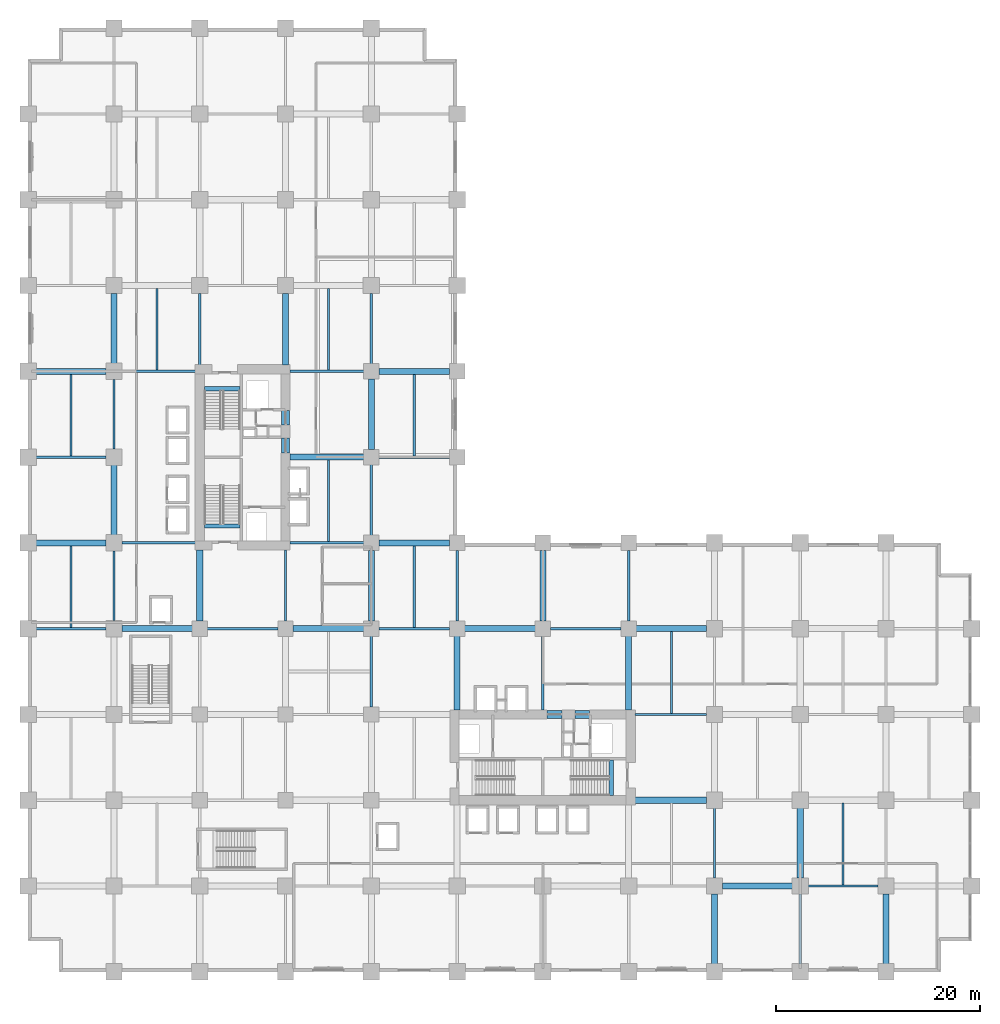
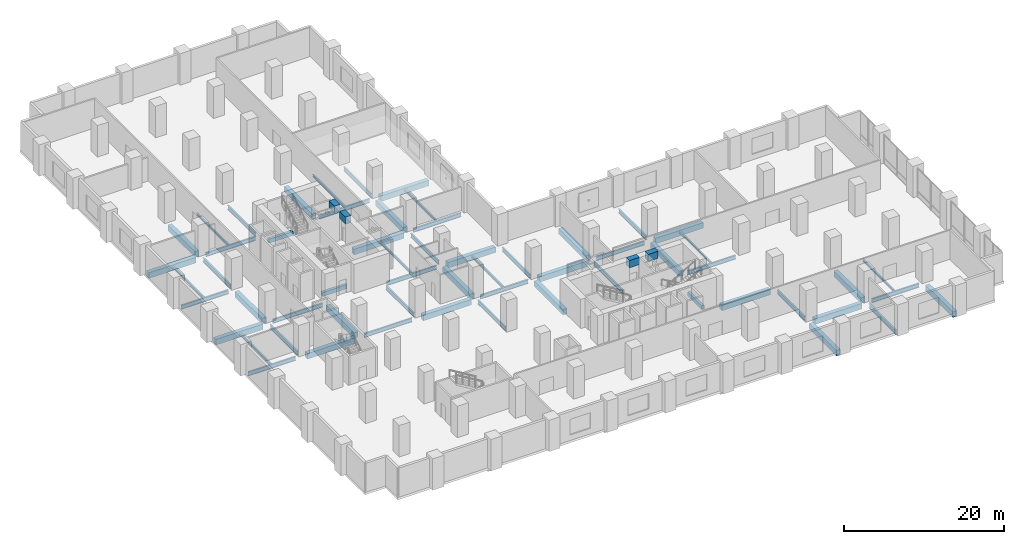
# One storey, part 2 of 22: 63 beams.
"""IFC4 building model written with IfcOpenShell, lengths in metres."""

from ifc_helpers import new_model, si_unit, direction, frame, origin, origin_2d, place, context, subcontext, project, spatial, rectangle, i_section, extrude, material, material_profile, profile_set, type_object, element, save


model = new_model("IFC4")

# Units and contexts
model_context = context("Model", 3, precision=1e-05, world=origin(), true_north=direction((0.0, 1.0)))
body_context = subcontext(model_context, "Body", "Model", "MODEL_VIEW")
ifc_project = project(units=[si_unit("LENGTHUNIT", "METRE"), si_unit("AREAUNIT", "SQUARE_METRE"), si_unit("VOLUMEUNIT", "CUBIC_METRE"), si_unit("PLANEANGLEUNIT", "RADIAN"), si_unit("MASSUNIT", "GRAM", prefix="KILO")], contexts=[model_context])

# Site, building, storey
site_placement = place(None, origin())
site = spatial("IfcSite", under=ifc_project, at=site_placement, CompositionType="ELEMENT")
building_placement = place(site_placement, origin())
building = spatial("IfcBuilding", under=site, at=building_placement, Name="Koriwani Terraces Tower", CompositionType="ELEMENT")
storey_placement = place(building_placement, frame((0.0, 0.0, 10.800048828125)))
storey = spatial("IfcBuildingStorey", under=building, at=storey_placement, Name="L02", CompositionType="ELEMENT", Elevation=10.800048828125)

# Beams
ifc_material_1 = material(Name="Concrete C60/75", Category="concrete")
ifc_material_profile_1 = material_profile(ifc_material_1, rectangle(XDim=0.800048828125, YDim=1.10009765625, at=origin_2d()), Name="Concrete C60/75", Category="LoadBearing")
ifc_profile_set_1 = profile_set([ifc_material_profile_1], Name="Concrete C60/75")
beam_type_1 = type_object("IfcBeamType", Name="BEAM_RC_COUPLING_800X1100", PredefinedType="LINTEL", material=ifc_profile_set_1)
beam_1_placement = place(storey_placement, frame((25.199951171875, 50.800048828125, 3.89990234375), z_axis=(0.0, 1.0, 0.0), x_axis=(-1.0, 0.0, 0.0)))
element("IfcBeam", 1, at=beam_1_placement, inside=storey, type_object=beam_type_1, Name="L02 Core Coupling Lintel Beam WE1", PredefinedType="LINTEL", context=body_context, shape_type="SweptSolid", body=[
    extrude(rectangle(XDim=0.800048828125, YDim=1.10009765625, at=origin_2d()), origin(), (0.0, 0.0, 1.0), 1.47998046875),
])
beam_2_placement = place(storey_placement, frame((25.199951171875, 53.550048828125, 3.89990234375), z_axis=(0.0, 1.0, 0.0), x_axis=(-1.0, 0.0, 0.0)))
element("IfcBeam", 2, at=beam_2_placement, inside=storey, type_object=beam_type_1, Name="L02 Core Coupling Lintel Beam WE2", PredefinedType="LINTEL", context=body_context, shape_type="SweptSolid", body=[
    extrude(rectangle(XDim=0.800048828125, YDim=1.10009765625, at=origin_2d()), origin(), (0.0, 0.0, 1.0), 1.39990234375),
])
beam_3_placement = place(storey_placement, frame((50.800048828125, 25.199951171875, 3.89990234375), z_axis=(1.0, 0.0, 0.0), x_axis=(0.0, 1.0, 0.0)))
element("IfcBeam", 3, at=beam_3_placement, inside=storey, type_object=beam_type_1, Name="L02 Core Coupling Lintel Beam EN1", PredefinedType="LINTEL", context=body_context, shape_type="SweptSolid", body=[
    extrude(rectangle(XDim=0.800048828125, YDim=1.10009765625, at=origin_2d()), origin(), (0.0, 0.0, 1.0), 1.47998046875),
])
beam_4_placement = place(storey_placement, frame((53.550048828125, 25.199951171875, 3.89990234375), z_axis=(1.0, 0.0, 0.0), x_axis=(0.0, 1.0, 0.0)))
element("IfcBeam", 4, at=beam_4_placement, inside=storey, type_object=beam_type_1, Name="L02 Core Coupling Lintel Beam EN2", PredefinedType="LINTEL", context=body_context, shape_type="SweptSolid", body=[
    extrude(rectangle(XDim=0.800048828125, YDim=1.10009765625, at=origin_2d()), origin(), (0.0, 0.0, 1.0), 1.39990234375),
])
ifc_material_2 = material(Name="Concrete C40/50", Category="concrete")
ifc_material_profile_2 = material_profile(ifc_material_2, rectangle(XDim=0.39990234375, YDim=0.60009765625, at=origin_2d()), Name="Concrete C40/50", Category="LoadBearing")
ifc_profile_set_2 = profile_set([ifc_material_profile_2], Name="Concrete C40/50")
beam_type_2 = type_object("IfcBeamType", Name="BEAM_RC_GRID_400X600", PredefinedType="BEAM", material=ifc_profile_set_2)
for number, where, z_axis, x_axis, name in (
    (5, (17.25, 43.655029296875, -0.300048828125), (1.0, 0.0, 0.0), (0.0, 1.0, 0.0), "L02 Stairwell Header Trimmer Beam ST-W1"),
    (6, (17.25, 57.094970703125, -0.300048828125), (1.0, 0.0, 0.0), (0.0, 1.0, 0.0), "L02 Stairwell Header Trimmer Beam ST-W2"),
    (7, (57.094970703125, 17.25, -0.300048828125), (0.0, 1.0, 0.0), (-1.0, 0.0, 0.0), "L02 Stairwell Header Trimmer Beam ST-E2"),
):
    element("IfcBeam", number, at=place(storey_placement, frame(where, z_axis=z_axis, x_axis=x_axis)), inside=storey, type_object=beam_type_2, Name=name, PredefinedType="BEAM", context=body_context, shape_type="SweptSolid", body=[
        extrude(rectangle(XDim=0.39990234375, YDim=0.60009765625, at=origin_2d()), origin(), (0.0, 0.0, 1.0), 3.5),
    ])
ifc_material_profile_3 = material_profile(ifc_material_1, rectangle(XDim=0.60009765625, YDim=0.85009765625, at=origin_2d()), Name="Concrete C60/75", Category="LoadBearing")
ifc_profile_set_3 = profile_set([ifc_material_profile_3], Name="Concrete C60/75")
beam_type_3 = type_object("IfcBeamType", Name="BEAM_RC_GRID_600X850", PredefinedType="BEAM", material=ifc_profile_set_3)
beam_5_placement = place(storey_placement, frame((67.97998046875, 8.39990234375, -0.775146484375), z_axis=(1.0, 0.0, 0.0), x_axis=(0.0, 1.0, 0.0)))
element("IfcBeam", 8, at=beam_5_placement, inside=storey, type_object=beam_type_3, Name="L02 Grid Beam B (67.2-75.6m)", PredefinedType="BEAM", context=body_context, shape_type="SweptSolid", body=[
    extrude(rectangle(XDim=0.60009765625, YDim=0.85009765625, at=origin_2d()), origin(), (0.0, 0.0, 1.0), 6.840087890625),
])
beam_6_placement = place(storey_placement, frame((59.429931640625, 16.800048828125, -0.775146484375), z_axis=(1.0, 0.0, 0.0), x_axis=(0.0, 1.0, 0.0)))
element("IfcBeam", 9, at=beam_6_placement, inside=storey, type_object=beam_type_3, Name="L02 Grid Beam C (58.8-67.2m)", PredefinedType="BEAM", context=body_context, shape_type="SweptSolid", body=[
    extrude(rectangle(XDim=0.60009765625, YDim=0.85009765625, at=origin_2d()), origin(), (0.0, 0.0, 1.0), 6.989990234375),
])
beam_7_placement = place(storey_placement, frame((9.179931640625, 33.60009765625, -0.775146484375), z_axis=(1.0, 0.0, 0.0), x_axis=(0.0, 1.0, 0.0)))
element("IfcBeam", 10, at=beam_7_placement, inside=storey, type_object=beam_type_3, Name="L02 Grid Beam E (8.4-16.8m)", PredefinedType="BEAM", context=body_context, shape_type="SweptSolid", body=[
    extrude(rectangle(XDim=0.60009765625, YDim=0.85009765625, at=origin_2d()), origin(), (0.0, 0.0, 1.0), 6.89013671875),
])
beam_8_placement = place(storey_placement, frame((25.929931640625, 33.60009765625, -0.775146484375), z_axis=(1.0, 0.0, 0.0), x_axis=(0.0, 1.0, 0.0)))
element("IfcBeam", 11, at=beam_8_placement, inside=storey, type_object=beam_type_3, Name="L02 Grid Beam E (25.2-33.6m)", PredefinedType="BEAM", context=body_context, shape_type="SweptSolid", body=[
    extrude(rectangle(XDim=0.60009765625, YDim=0.85009765625, at=origin_2d()), origin(), (0.0, 0.0, 1.0), 6.940185546875),
])
beam_9_placement = place(storey_placement, frame((42.72998046875, 33.60009765625, -0.775146484375), z_axis=(1.0, 0.0, 0.0), x_axis=(0.0, 1.0, 0.0)))
element("IfcBeam", 12, at=beam_9_placement, inside=storey, type_object=beam_type_3, Name="L02 Grid Beam E (42.0-50.4m)", PredefinedType="BEAM", context=body_context, shape_type="SweptSolid", body=[
    extrude(rectangle(XDim=0.60009765625, YDim=0.85009765625, at=origin_2d()), origin(), (0.0, 0.0, 1.0), 6.93994140625),
])
beam_10_placement = place(storey_placement, frame((59.530029296875, 33.60009765625, -0.775146484375), z_axis=(1.0, 0.0, 0.0), x_axis=(0.0, 1.0, 0.0)))
element("IfcBeam", 13, at=beam_10_placement, inside=storey, type_object=beam_type_3, Name="L02 Grid Beam E (58.8-67.2m)", PredefinedType="BEAM", context=body_context, shape_type="SweptSolid", body=[
    extrude(rectangle(XDim=0.60009765625, YDim=0.85009765625, at=origin_2d()), origin(), (0.0, 0.0, 1.0), 6.889892578125),
])
beam_11_placement = place(storey_placement, frame((0.780029296875, 42.0, -0.775146484375), z_axis=(1.0, 0.0, 0.0), x_axis=(0.0, 1.0, 0.0)))
element("IfcBeam", 14, at=beam_11_placement, inside=storey, type_object=beam_type_3, Name="L02 Grid Beam F (0.0-8.4m)", PredefinedType="BEAM", context=body_context, shape_type="SweptSolid", body=[
    extrude(rectangle(XDim=0.60009765625, YDim=0.85009765625, at=origin_2d()), origin(), (0.0, 0.0, 1.0), 6.840087890625),
])
beam_12_placement = place(storey_placement, frame((34.330078125, 42.0, -0.775146484375), z_axis=(1.0, 0.0, 0.0), x_axis=(0.0, 1.0, 0.0)))
element("IfcBeam", 15, at=beam_12_placement, inside=storey, type_object=beam_type_3, Name="L02 Grid Beam F (33.6-42.0m)", PredefinedType="BEAM", context=body_context, shape_type="SweptSolid", body=[
    extrude(rectangle(XDim=0.60009765625, YDim=0.85009765625, at=origin_2d()), origin(), (0.0, 0.0, 1.0), 6.93994140625),
])
beam_13_placement = place(storey_placement, frame((25.6298828125, 50.39990234375, -0.775146484375), z_axis=(1.0, 0.0, 0.0), x_axis=(0.0, 1.0, 0.0)))
element("IfcBeam", 16, at=beam_13_placement, inside=storey, type_object=beam_type_3, Name="L02 Grid Beam G (25.2-33.6m)", PredefinedType="BEAM", context=body_context, shape_type="SweptSolid", body=[
    extrude(rectangle(XDim=0.60009765625, YDim=0.85009765625, at=origin_2d()), origin(), (0.0, 0.0, 1.0), 7.240234375),
])
beam_14_placement = place(storey_placement, frame((0.780029296875, 58.800048828125, -0.775146484375), z_axis=(1.0, 0.0, 0.0), x_axis=(0.0, 1.0, 0.0)))
element("IfcBeam", 17, at=beam_14_placement, inside=storey, type_object=beam_type_3, Name="L02 Grid Beam H (0.0-8.4m)", PredefinedType="BEAM", context=body_context, shape_type="SweptSolid", body=[
    extrude(rectangle(XDim=0.60009765625, YDim=0.85009765625, at=origin_2d()), origin(), (0.0, 0.0, 1.0), 6.840087890625),
])
beam_15_placement = place(storey_placement, frame((34.330078125, 58.800048828125, -0.775146484375), z_axis=(1.0, 0.0, 0.0), x_axis=(0.0, 1.0, 0.0)))
element("IfcBeam", 18, at=beam_15_placement, inside=storey, type_object=beam_type_3, Name="L02 Grid Beam H (33.6-42.0m)", PredefinedType="BEAM", context=body_context, shape_type="SweptSolid", body=[
    extrude(rectangle(XDim=0.60009765625, YDim=0.85009765625, at=origin_2d()), origin(), (0.0, 0.0, 1.0), 6.93994140625),
])
beam_16_placement = place(storey_placement, frame((8.39990234375, 42.780029296875, -0.775146484375), z_axis=(0.0, 1.0, 0.0), x_axis=(-1.0, 0.0, 0.0)))
element("IfcBeam", 19, at=beam_16_placement, inside=storey, type_object=beam_type_3, Name="L02 Grid Beam 2 (42.0-50.4m)", PredefinedType="BEAM", context=body_context, shape_type="SweptSolid", body=[
    extrude(rectangle(XDim=0.60009765625, YDim=0.85009765625, at=origin_2d()), origin(), (0.0, 0.0, 1.0), 6.840087890625),
])
beam_17_placement = place(storey_placement, frame((8.39990234375, 59.580078125, -0.775146484375), z_axis=(0.0, 1.0, 0.0), x_axis=(-1.0, 0.0, 0.0)))
element("IfcBeam", 20, at=beam_17_placement, inside=storey, type_object=beam_type_3, Name="L02 Grid Beam 2 (58.8-67.2m)", PredefinedType="BEAM", context=body_context, shape_type="SweptSolid", body=[
    extrude(rectangle(XDim=0.60009765625, YDim=0.85009765625, at=origin_2d()), origin(), (0.0, 0.0, 1.0), 6.83984375),
])
for number, where, z_axis, x_axis, name in (
    (21, (16.800048828125, 34.330078125, -0.775146484375), (0.0, 1.0, 0.0), (-1.0, 0.0, 0.0), "L02 Grid Beam 3 (33.6-42.0m)"),
    (22, (25.199951171875, 59.429931640625, -0.775146484375), (0.0, 1.0, 0.0), (-1.0, 0.0, 0.0), "L02 Grid Beam 4 (58.8-67.2m)"),
):
    element("IfcBeam", number, at=place(storey_placement, frame(where, z_axis=z_axis, x_axis=x_axis)), inside=storey, type_object=beam_type_3, Name=name, PredefinedType="BEAM", context=body_context, shape_type="SweptSolid", body=[
        extrude(rectangle(XDim=0.60009765625, YDim=0.85009765625, at=origin_2d()), origin(), (0.0, 0.0, 1.0), 6.989990234375),
    ])
beam_18_placement = place(storey_placement, frame((33.60009765625, 34.330078125, -0.775146484375), z_axis=(0.0, 1.0, 0.0), x_axis=(-1.0, 0.0, 0.0)))
element("IfcBeam", 23, at=beam_18_placement, inside=storey, type_object=beam_type_3, Name="L02 Grid Beam 5 (33.6-42.0m)", PredefinedType="BEAM", context=body_context, shape_type="SweptSolid", body=[
    extrude(rectangle(XDim=0.60009765625, YDim=0.85009765625, at=origin_2d()), origin(), (0.0, 0.0, 1.0), 6.93994140625),
])
beam_19_placement = place(storey_placement, frame((33.60009765625, 51.1298828125, -0.775146484375), z_axis=(0.0, 1.0, 0.0), x_axis=(-1.0, 0.0, 0.0)))
element("IfcBeam", 24, at=beam_19_placement, inside=storey, type_object=beam_type_3, Name="L02 Grid Beam 5 (50.4-58.8m)", PredefinedType="BEAM", context=body_context, shape_type="SweptSolid", body=[
    extrude(rectangle(XDim=0.60009765625, YDim=0.85009765625, at=origin_2d()), origin(), (0.0, 0.0, 1.0), 6.940185546875),
])
beam_20_placement = place(storey_placement, frame((42.0, 25.6298828125, -0.775146484375), z_axis=(0.0, 1.0, 0.0), x_axis=(-1.0, 0.0, 0.0)))
element("IfcBeam", 25, at=beam_20_placement, inside=storey, type_object=beam_type_3, Name="L02 Grid Beam 6 (25.2-33.6m)", PredefinedType="BEAM", context=body_context, shape_type="SweptSolid", body=[
    extrude(rectangle(XDim=0.60009765625, YDim=0.85009765625, at=origin_2d()), origin(), (0.0, 0.0, 1.0), 7.240234375),
])
beam_21_placement = place(storey_placement, frame((50.39990234375, 34.330078125, -0.775146484375), z_axis=(0.0, 1.0, 0.0), x_axis=(-1.0, 0.0, 0.0)))
element("IfcBeam", 26, at=beam_21_placement, inside=storey, type_object=beam_type_3, Name="L02 Grid Beam 7 (33.6-42.0m)", PredefinedType="BEAM", context=body_context, shape_type="SweptSolid", body=[
    extrude(rectangle(XDim=0.60009765625, YDim=0.85009765625, at=origin_2d()), origin(), (0.0, 0.0, 1.0), 6.93994140625),
])
beam_22_placement = place(storey_placement, frame((58.800048828125, 25.6298828125, -0.775146484375), z_axis=(0.0, 1.0, 0.0), x_axis=(-1.0, 0.0, 0.0)))
element("IfcBeam", 27, at=beam_22_placement, inside=storey, type_object=beam_type_3, Name="L02 Grid Beam 8 (25.2-33.6m)", PredefinedType="BEAM", context=body_context, shape_type="SweptSolid", body=[
    extrude(rectangle(XDim=0.60009765625, YDim=0.85009765625, at=origin_2d()), origin(), (0.0, 0.0, 1.0), 7.240234375),
])
for number, where, z_axis, x_axis, name in (
    (28, (67.199951171875, 0.780029296875, -0.775146484375), (0.0, 1.0, 0.0), (-1.0, 0.0, 0.0), "L02 Grid Beam 9 (0.0-8.4m)"),
    (29, (75.60009765625, 9.179931640625, -0.775146484375), (0.0, 1.0, 0.0), (-1.0, 0.0, 0.0), "L02 Grid Beam 10 (8.4-16.8m)"),
    (30, (84.0, 0.780029296875, -0.775146484375), (0.0, 1.0, 0.0), (-1.0, 0.0, 0.0), "L02 Grid Beam 11 (0.0-8.4m)"),
):
    element("IfcBeam", number, at=place(storey_placement, frame(where, z_axis=z_axis, x_axis=x_axis)), inside=storey, type_object=beam_type_3, Name=name, PredefinedType="BEAM", context=body_context, shape_type="SweptSolid", body=[
        extrude(rectangle(XDim=0.60009765625, YDim=0.85009765625, at=origin_2d()), origin(), (0.0, 0.0, 1.0), 6.840087890625),
    ])
ifc_material_3 = material(Name="Steel ASTM A572 Grade 50", Category="steel")
ifc_material_profile_4 = material_profile(ifc_material_3, i_section(OverallWidth=0.205078125, OverallDepth=0.35400390625, WebThickness=0.009521484375, FlangeThickness=0.016845703125, at=origin_2d()), Name="Steel ASTM A572 Grade 50", Category="LoadBearing")
ifc_profile_set_4 = profile_set([ifc_material_profile_4], Name="Steel ASTM A572 Grade 50")
beam_type_4 = type_object("IfcBeamType", Name="STEEL_BEAM_W360X79", PredefinedType="JOIST", material=ifc_profile_set_4)
for number, where, z_axis, x_axis, name in (
    (31, (4.199951171875, 33.70556640625, -0.527099609375), (0.0, 1.0, 0.0), (-1.0, 0.0, 0.0), "L02 Secondary Steel Floor Joist X=4.2m"),
    (32, (4.199951171875, 50.505615234375, -0.527099609375), (0.0, 1.0, 0.0), (-1.0, 0.0, 0.0), "L02 Secondary Steel Floor Joist X=4.2m"),
    (33, (12.60009765625, 58.905517578125, -0.527099609375), (0.0, 1.0, 0.0), (-1.0, 0.0, 0.0), "L02 Secondary Steel Floor Joist X=12.6m"),
):
    element("IfcBeam", number, at=place(storey_placement, frame(where, z_axis=z_axis, x_axis=x_axis)), inside=storey, type_object=beam_type_4, Name=name, PredefinedType="JOIST", context=body_context, shape_type="SweptSolid", body=[
        extrude(i_section(OverallWidth=0.205078125, OverallDepth=0.35400390625, WebThickness=0.009521484375, FlangeThickness=0.016845703125, at=origin_2d()), origin(), (0.0, 0.0, 1.0), 8.00439453125),
    ])
beam_23_placement = place(storey_placement, frame((29.39990234375, 42.10546875, -0.527099609375), z_axis=(0.0, 1.0, 0.0), x_axis=(-1.0, 0.0, 0.0)))
element("IfcBeam", 34, at=beam_23_placement, inside=storey, type_object=beam_type_4, Name="L02 Secondary Steel Floor Joist X=29.4m", PredefinedType="JOIST", context=body_context, shape_type="SweptSolid", body=[
    extrude(i_section(OverallWidth=0.205078125, OverallDepth=0.35400390625, WebThickness=0.009521484375, FlangeThickness=0.016845703125, at=origin_2d()), origin(), (0.0, 0.0, 1.0), 8.004638671875),
])
for number, where, z_axis, x_axis, name in (
    (35, (29.39990234375, 58.905517578125, -0.527099609375), (0.0, 1.0, 0.0), (-1.0, 0.0, 0.0), "L02 Secondary Steel Floor Joist X=29.4m"),
    (36, (37.800048828125, 33.70556640625, -0.527099609375), (0.0, 1.0, 0.0), (-1.0, 0.0, 0.0), "L02 Secondary Steel Floor Joist X=37.8m"),
    (37, (37.800048828125, 50.505615234375, -0.527099609375), (0.0, 1.0, 0.0), (-1.0, 0.0, 0.0), "L02 Secondary Steel Floor Joist X=37.8m"),
):
    element("IfcBeam", number, at=place(storey_placement, frame(where, z_axis=z_axis, x_axis=x_axis)), inside=storey, type_object=beam_type_4, Name=name, PredefinedType="JOIST", context=body_context, shape_type="SweptSolid", body=[
        extrude(i_section(OverallWidth=0.205078125, OverallDepth=0.35400390625, WebThickness=0.009521484375, FlangeThickness=0.016845703125, at=origin_2d()), origin(), (0.0, 0.0, 1.0), 8.00439453125),
    ])
beam_24_placement = place(storey_placement, frame((63.0, 25.305419921875, -0.527099609375), z_axis=(0.0, 1.0, 0.0), x_axis=(-1.0, 0.0, 0.0)))
element("IfcBeam", 38, at=beam_24_placement, inside=storey, type_object=beam_type_4, Name="L02 Secondary Steel Floor Joist X=63.0m", PredefinedType="JOIST", context=body_context, shape_type="SweptSolid", body=[
    extrude(i_section(OverallWidth=0.205078125, OverallDepth=0.35400390625, WebThickness=0.009521484375, FlangeThickness=0.016845703125, at=origin_2d()), origin(), (0.0, 0.0, 1.0), 8.004638671875),
])
beam_25_placement = place(storey_placement, frame((79.800048828125, 8.505615234375, -0.527099609375), z_axis=(0.0, 1.0, 0.0), x_axis=(-1.0, 0.0, 0.0)))
element("IfcBeam", 39, at=beam_25_placement, inside=storey, type_object=beam_type_4, Name="L02 Secondary Steel Floor Joist X=79.8m", PredefinedType="JOIST", context=body_context, shape_type="SweptSolid", body=[
    extrude(i_section(OverallWidth=0.205078125, OverallDepth=0.35400390625, WebThickness=0.009521484375, FlangeThickness=0.016845703125, at=origin_2d()), origin(), (0.0, 0.0, 1.0), 8.00439453125),
])
ifc_material_profile_5 = material_profile(ifc_material_3, i_section(OverallWidth=0.23095703125, OverallDepth=0.616943359375, WebThickness=0.015380859375, FlangeThickness=0.0244140625, at=origin_2d()), Name="Steel ASTM A572 Grade 50", Category="LoadBearing")
ifc_profile_set_5 = profile_set([ifc_material_profile_5], Name="Steel ASTM A572 Grade 50")
beam_type_5 = type_object("IfcBeamType", Name="STEEL_BEAM_W610X195", PredefinedType="BEAM", material=ifc_profile_set_5)
beam_26_placement = place(storey_placement, frame((76.3798828125, 8.39990234375, -0.658447265625), z_axis=(1.0, 0.0, 0.0), x_axis=(0.0, 1.0, 0.0)))
element("IfcBeam", 40, at=beam_26_placement, inside=storey, type_object=beam_type_5, Name="L02 Grid Beam B (75.6-84.0m)", PredefinedType="BEAM", context=body_context, shape_type="SweptSolid", body=[
    extrude(i_section(OverallWidth=0.23095703125, OverallDepth=0.616943359375, WebThickness=0.015380859375, FlangeThickness=0.0244140625, at=origin_2d()), origin(), (0.0, 0.0, 1.0), 6.840087890625),
])
beam_27_placement = place(storey_placement, frame((59.429931640625, 25.199951171875, -0.658447265625), z_axis=(1.0, 0.0, 0.0), x_axis=(0.0, 1.0, 0.0)))
element("IfcBeam", 41, at=beam_27_placement, inside=storey, type_object=beam_type_5, Name="L02 Grid Beam D (58.8-67.2m)", PredefinedType="BEAM", context=body_context, shape_type="SweptSolid", body=[
    extrude(i_section(OverallWidth=0.23095703125, OverallDepth=0.616943359375, WebThickness=0.015380859375, FlangeThickness=0.0244140625, at=origin_2d()), origin(), (0.0, 0.0, 1.0), 6.989990234375),
])
beam_28_placement = place(storey_placement, frame((0.780029296875, 33.60009765625, -0.658447265625), z_axis=(1.0, 0.0, 0.0), x_axis=(0.0, 1.0, 0.0)))
element("IfcBeam", 42, at=beam_28_placement, inside=storey, type_object=beam_type_5, Name="L02 Grid Beam E (0.0-8.4m)", PredefinedType="BEAM", context=body_context, shape_type="SweptSolid", body=[
    extrude(i_section(OverallWidth=0.23095703125, OverallDepth=0.616943359375, WebThickness=0.015380859375, FlangeThickness=0.0244140625, at=origin_2d()), origin(), (0.0, 0.0, 1.0), 6.840087890625),
])
for number, where, z_axis, x_axis, name in (
    (43, (17.530029296875, 33.60009765625, -0.658447265625), (1.0, 0.0, 0.0), (0.0, 1.0, 0.0), "L02 Grid Beam E (16.8-25.2m)"),
    (44, (34.330078125, 33.60009765625, -0.658447265625), (1.0, 0.0, 0.0), (0.0, 1.0, 0.0), "L02 Grid Beam E (33.6-42.0m)"),
):
    element("IfcBeam", number, at=place(storey_placement, frame(where, z_axis=z_axis, x_axis=x_axis)), inside=storey, type_object=beam_type_5, Name=name, PredefinedType="BEAM", context=body_context, shape_type="SweptSolid", body=[
        extrude(i_section(OverallWidth=0.23095703125, OverallDepth=0.616943359375, WebThickness=0.015380859375, FlangeThickness=0.0244140625, at=origin_2d()), origin(), (0.0, 0.0, 1.0), 6.93994140625),
    ])
beam_29_placement = place(storey_placement, frame((51.1298828125, 33.60009765625, -0.658447265625), z_axis=(1.0, 0.0, 0.0), x_axis=(0.0, 1.0, 0.0)))
element("IfcBeam", 45, at=beam_29_placement, inside=storey, type_object=beam_type_5, Name="L02 Grid Beam E (50.4-58.8m)", PredefinedType="BEAM", context=body_context, shape_type="SweptSolid", body=[
    extrude(i_section(OverallWidth=0.23095703125, OverallDepth=0.616943359375, WebThickness=0.015380859375, FlangeThickness=0.0244140625, at=origin_2d()), origin(), (0.0, 0.0, 1.0), 6.940185546875),
])
beam_30_placement = place(storey_placement, frame((9.179931640625, 42.0, -0.658447265625), z_axis=(1.0, 0.0, 0.0), x_axis=(0.0, 1.0, 0.0)))
element("IfcBeam", 46, at=beam_30_placement, inside=storey, type_object=beam_type_5, Name="L02 Grid Beam F (8.4-16.8m)", PredefinedType="BEAM", context=body_context, shape_type="SweptSolid", body=[
    extrude(i_section(OverallWidth=0.23095703125, OverallDepth=0.616943359375, WebThickness=0.015380859375, FlangeThickness=0.0244140625, at=origin_2d()), origin(), (0.0, 0.0, 1.0), 7.190185546875),
])
beam_31_placement = place(storey_placement, frame((25.6298828125, 42.0, -0.658447265625), z_axis=(1.0, 0.0, 0.0), x_axis=(0.0, 1.0, 0.0)))
element("IfcBeam", 47, at=beam_31_placement, inside=storey, type_object=beam_type_5, Name="L02 Grid Beam F (25.2-33.6m)", PredefinedType="BEAM", context=body_context, shape_type="SweptSolid", body=[
    extrude(i_section(OverallWidth=0.23095703125, OverallDepth=0.616943359375, WebThickness=0.015380859375, FlangeThickness=0.0244140625, at=origin_2d()), origin(), (0.0, 0.0, 1.0), 7.240234375),
])
beam_32_placement = place(storey_placement, frame((0.780029296875, 50.39990234375, -0.658447265625), z_axis=(1.0, 0.0, 0.0), x_axis=(0.0, 1.0, 0.0)))
element("IfcBeam", 48, at=beam_32_placement, inside=storey, type_object=beam_type_5, Name="L02 Grid Beam G (0.0-8.4m)", PredefinedType="BEAM", context=body_context, shape_type="SweptSolid", body=[
    extrude(i_section(OverallWidth=0.23095703125, OverallDepth=0.616943359375, WebThickness=0.015380859375, FlangeThickness=0.0244140625, at=origin_2d()), origin(), (0.0, 0.0, 1.0), 6.840087890625),
])
beam_33_placement = place(storey_placement, frame((34.330078125, 50.39990234375, -0.658447265625), z_axis=(1.0, 0.0, 0.0), x_axis=(0.0, 1.0, 0.0)))
element("IfcBeam", 49, at=beam_33_placement, inside=storey, type_object=beam_type_5, Name="L02 Grid Beam G (33.6-42.0m)", PredefinedType="BEAM", context=body_context, shape_type="SweptSolid", body=[
    extrude(i_section(OverallWidth=0.23095703125, OverallDepth=0.616943359375, WebThickness=0.015380859375, FlangeThickness=0.0244140625, at=origin_2d()), origin(), (0.0, 0.0, 1.0), 6.93994140625),
])
beam_34_placement = place(storey_placement, frame((9.179931640625, 58.800048828125, -0.658447265625), z_axis=(1.0, 0.0, 0.0), x_axis=(0.0, 1.0, 0.0)))
element("IfcBeam", 50, at=beam_34_placement, inside=storey, type_object=beam_type_5, Name="L02 Grid Beam H (8.4-16.8m)", PredefinedType="BEAM", context=body_context, shape_type="SweptSolid", body=[
    extrude(i_section(OverallWidth=0.23095703125, OverallDepth=0.616943359375, WebThickness=0.015380859375, FlangeThickness=0.0244140625, at=origin_2d()), origin(), (0.0, 0.0, 1.0), 7.190185546875),
])
beam_35_placement = place(storey_placement, frame((25.6298828125, 58.800048828125, -0.658447265625), z_axis=(1.0, 0.0, 0.0), x_axis=(0.0, 1.0, 0.0)))
element("IfcBeam", 51, at=beam_35_placement, inside=storey, type_object=beam_type_5, Name="L02 Grid Beam H (25.2-33.6m)", PredefinedType="BEAM", context=body_context, shape_type="SweptSolid", body=[
    extrude(i_section(OverallWidth=0.23095703125, OverallDepth=0.616943359375, WebThickness=0.015380859375, FlangeThickness=0.0244140625, at=origin_2d()), origin(), (0.0, 0.0, 1.0), 7.240234375),
])
for number, where, z_axis, x_axis, name in (
    (52, (8.39990234375, 34.3798828125, -0.658447265625), (0.0, 1.0, 0.0), (-1.0, 0.0, 0.0), "L02 Grid Beam 2 (33.6-42.0m)"),
    (53, (8.39990234375, 51.179931640625, -0.658447265625), (0.0, 1.0, 0.0), (-1.0, 0.0, 0.0), "L02 Grid Beam 2 (50.4-58.8m)"),
):
    element("IfcBeam", number, at=place(storey_placement, frame(where, z_axis=z_axis, x_axis=x_axis)), inside=storey, type_object=beam_type_5, Name=name, PredefinedType="BEAM", context=body_context, shape_type="SweptSolid", body=[
        extrude(i_section(OverallWidth=0.23095703125, OverallDepth=0.616943359375, WebThickness=0.015380859375, FlangeThickness=0.0244140625, at=origin_2d()), origin(), (0.0, 0.0, 1.0), 6.840087890625),
    ])
for number, where, z_axis, x_axis, name in (
    (54, (16.800048828125, 59.429931640625, -0.658447265625), (0.0, 1.0, 0.0), (-1.0, 0.0, 0.0), "L02 Grid Beam 3 (58.8-67.2m)"),
    (55, (25.199951171875, 34.330078125, -0.658447265625), (0.0, 1.0, 0.0), (-1.0, 0.0, 0.0), "L02 Grid Beam 4 (33.6-42.0m)"),
):
    element("IfcBeam", number, at=place(storey_placement, frame(where, z_axis=z_axis, x_axis=x_axis)), inside=storey, type_object=beam_type_5, Name=name, PredefinedType="BEAM", context=body_context, shape_type="SweptSolid", body=[
        extrude(i_section(OverallWidth=0.23095703125, OverallDepth=0.616943359375, WebThickness=0.015380859375, FlangeThickness=0.0244140625, at=origin_2d()), origin(), (0.0, 0.0, 1.0), 6.989990234375),
    ])
beam_36_placement = place(storey_placement, frame((33.60009765625, 25.929931640625, -0.658447265625), z_axis=(0.0, 1.0, 0.0), x_axis=(-1.0, 0.0, 0.0)))
element("IfcBeam", 56, at=beam_36_placement, inside=storey, type_object=beam_type_5, Name="L02 Grid Beam 5 (25.2-33.6m)", PredefinedType="BEAM", context=body_context, shape_type="SweptSolid", body=[
    extrude(i_section(OverallWidth=0.23095703125, OverallDepth=0.616943359375, WebThickness=0.015380859375, FlangeThickness=0.0244140625, at=origin_2d()), origin(), (0.0, 0.0, 1.0), 6.940185546875),
])
beam_37_placement = place(storey_placement, frame((33.60009765625, 42.72998046875, -0.658447265625), z_axis=(0.0, 1.0, 0.0), x_axis=(-1.0, 0.0, 0.0)))
element("IfcBeam", 57, at=beam_37_placement, inside=storey, type_object=beam_type_5, Name="L02 Grid Beam 5 (42.0-50.4m)", PredefinedType="BEAM", context=body_context, shape_type="SweptSolid", body=[
    extrude(i_section(OverallWidth=0.23095703125, OverallDepth=0.616943359375, WebThickness=0.015380859375, FlangeThickness=0.0244140625, at=origin_2d()), origin(), (0.0, 0.0, 1.0), 6.93994140625),
])
beam_38_placement = place(storey_placement, frame((33.60009765625, 59.530029296875, -0.658447265625), z_axis=(0.0, 1.0, 0.0), x_axis=(-1.0, 0.0, 0.0)))
element("IfcBeam", 58, at=beam_38_placement, inside=storey, type_object=beam_type_5, Name="L02 Grid Beam 5 (58.8-67.2m)", PredefinedType="BEAM", context=body_context, shape_type="SweptSolid", body=[
    extrude(i_section(OverallWidth=0.23095703125, OverallDepth=0.616943359375, WebThickness=0.015380859375, FlangeThickness=0.0244140625, at=origin_2d()), origin(), (0.0, 0.0, 1.0), 6.889892578125),
])
beam_39_placement = place(storey_placement, frame((42.0, 34.330078125, -0.658447265625), z_axis=(0.0, 1.0, 0.0), x_axis=(-1.0, 0.0, 0.0)))
element("IfcBeam", 59, at=beam_39_placement, inside=storey, type_object=beam_type_5, Name="L02 Grid Beam 6 (33.6-42.0m)", PredefinedType="BEAM", context=body_context, shape_type="SweptSolid", body=[
    extrude(i_section(OverallWidth=0.23095703125, OverallDepth=0.616943359375, WebThickness=0.015380859375, FlangeThickness=0.0244140625, at=origin_2d()), origin(), (0.0, 0.0, 1.0), 6.93994140625),
])
beam_40_placement = place(storey_placement, frame((50.39990234375, 25.6298828125, -0.658447265625), z_axis=(0.0, 1.0, 0.0), x_axis=(-1.0, 0.0, 0.0)))
element("IfcBeam", 60, at=beam_40_placement, inside=storey, type_object=beam_type_5, Name="L02 Grid Beam 7 (25.2-33.6m)", PredefinedType="BEAM", context=body_context, shape_type="SweptSolid", body=[
    extrude(i_section(OverallWidth=0.23095703125, OverallDepth=0.616943359375, WebThickness=0.015380859375, FlangeThickness=0.0244140625, at=origin_2d()), origin(), (0.0, 0.0, 1.0), 7.240234375),
])
beam_41_placement = place(storey_placement, frame((58.800048828125, 34.330078125, -0.658447265625), z_axis=(0.0, 1.0, 0.0), x_axis=(-1.0, 0.0, 0.0)))
element("IfcBeam", 61, at=beam_41_placement, inside=storey, type_object=beam_type_5, Name="L02 Grid Beam 8 (33.6-42.0m)", PredefinedType="BEAM", context=body_context, shape_type="SweptSolid", body=[
    extrude(i_section(OverallWidth=0.23095703125, OverallDepth=0.616943359375, WebThickness=0.015380859375, FlangeThickness=0.0244140625, at=origin_2d()), origin(), (0.0, 0.0, 1.0), 6.93994140625),
])
for number, where, z_axis, x_axis, name in (
    (62, (67.199951171875, 9.179931640625, -0.658447265625), (0.0, 1.0, 0.0), (-1.0, 0.0, 0.0), "L02 Grid Beam 9 (8.4-16.8m)"),
    (63, (75.60009765625, 0.780029296875, -0.658447265625), (0.0, 1.0, 0.0), (-1.0, 0.0, 0.0), "L02 Grid Beam 10 (0.0-8.4m)"),
):
    element("IfcBeam", number, at=place(storey_placement, frame(where, z_axis=z_axis, x_axis=x_axis)), inside=storey, type_object=beam_type_5, Name=name, PredefinedType="BEAM", context=body_context, shape_type="SweptSolid", body=[
        extrude(i_section(OverallWidth=0.23095703125, OverallDepth=0.616943359375, WebThickness=0.015380859375, FlangeThickness=0.0244140625, at=origin_2d()), origin(), (0.0, 0.0, 1.0), 6.840087890625),
    ])

save(model, "model.ifc")
